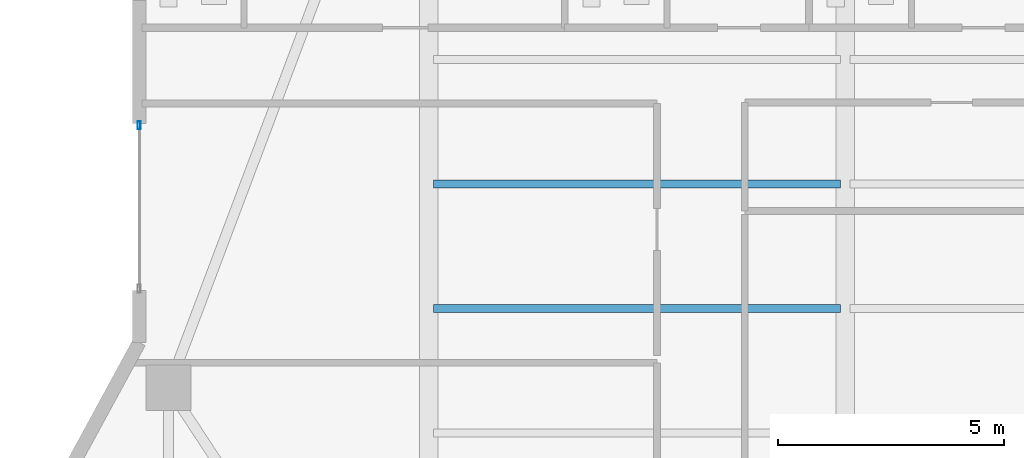
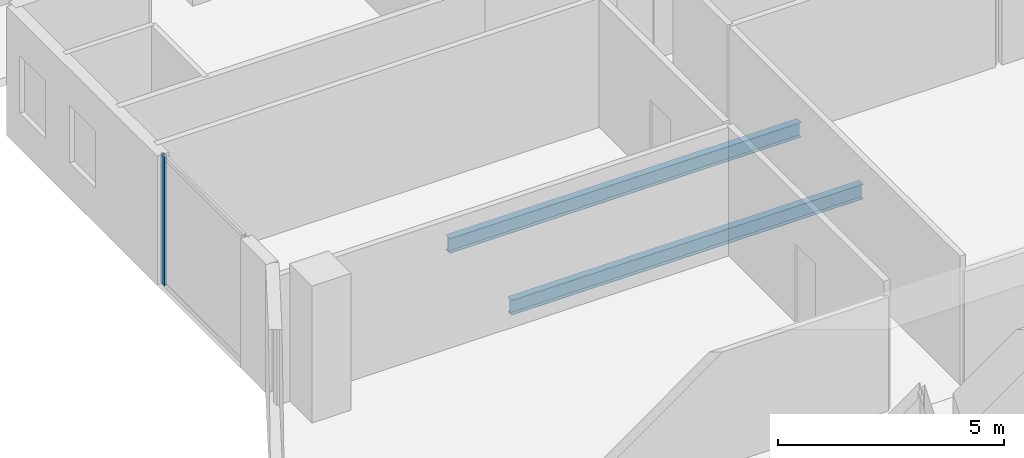
# One storey, part 8 of 23: 2 beams, 1 member, 1 element without a shape of its own.
"""IFC4 building model written with IfcOpenShell, lengths in metres."""

from ifc_helpers import new_model, si_unit, direction, frame, origin, origin_2d, place, context, subcontext, project, spatial, hollow_rectangle, i_section, extrude, material, layer, layer_set, material_profile, profile_set, type_object, element, aggregate, save


model = new_model("IFC4")

# Units and contexts
model_context = context("Model", 3, precision=1e-05, world=origin(), true_north=direction((0.0, 1.0)))
body_context = subcontext(model_context, "Body", "Model", "MODEL_VIEW")
ifc_project = project(units=[si_unit("LENGTHUNIT", "METRE"), si_unit("AREAUNIT", "SQUARE_METRE"), si_unit("VOLUMEUNIT", "CUBIC_METRE"), si_unit("PLANEANGLEUNIT", "RADIAN"), si_unit("MASSUNIT", "GRAM", prefix="KILO")], contexts=[model_context])

# Site, building, storey
site_placement = place(None, origin())
site = spatial("IfcSite", under=ifc_project, at=site_placement, CompositionType="ELEMENT")
building_placement = place(site_placement, origin())
building = spatial("IfcBuilding", under=site, at=building_placement, Name="Zuhayl Quay Hotel", CompositionType="ELEMENT")
storey_placement = place(building_placement, frame((0.0, 0.0, 272.949951171875)))
storey = spatial("IfcBuildingStorey", under=building, at=storey_placement, Name="L69", CompositionType="ELEMENT", Elevation=272.949951171875)

# Beams
ifc_material_1 = material(Name="Steel ASTM A992 Grade 50", Category="steel")
ifc_material_profile_1 = material_profile(ifc_material_1, i_section(OverallWidth=0.177978515625, OverallDepth=0.404052734375, WebThickness=0.007568359375, FlangeThickness=0.010986328125, at=origin_2d()), Name="W16X36")
ifc_profile_set_1 = profile_set([ifc_material_profile_1], Name="Steel ASTM A992 Grade 50")
beam_type = type_object("IfcBeamType", Name="BM_J3_W16X36", PredefinedType="JOIST", material=ifc_profile_set_1)
for number, where, z_axis, x_axis, name in (
    (1, (-13.694091796875, 24.85009765625, -0.421875), (1.0, 0.0, 0.0), (0.0, 1.0, 0.0), "L69 Floor Beam FJ_L69_4_1"),
    (2, (-13.694091796875, 27.60009765625, -0.421875), (1.0, 0.0, 0.0), (0.0, 1.0, 0.0), "L69 Floor Beam FJ_L69_5_1"),
):
    element("IfcBeam", number, at=place(storey_placement, frame(where, z_axis=z_axis, x_axis=x_axis)), inside=storey, type_object=beam_type, Name=name, PredefinedType="JOIST", context=body_context, shape_type="SweptSolid", body=[
        extrude(i_section(OverallWidth=0.177978515625, OverallDepth=0.404052734375, WebThickness=0.007568359375, FlangeThickness=0.010986328125, at=origin_2d()), origin(), (0.0, 0.0, 1.0), 8.988037109375),
    ])

# Curtain wall, member
ifc_material_2 = material(Name="Anodised Aluminium 6063-T6", Category="aluminium")
ifc_layer = layer(ifc_material_2, 0.169921875, Name="Anodised Aluminium 6063-T6", Category="aluminium")
ifc_layer_set = layer_set([ifc_layer], Name="Anodised Aluminium 6063-T6")
curtain_wall_type = type_object("IfcCurtainWallType", Name="CW_SYS_Z4", PredefinedType="USERDEFINED", material=ifc_layer_set)
curtain_wall_placement = place(storey_placement, origin())
curtain_wall = element("IfcCurtainWall", 3, at=curtain_wall_placement, inside=storey, type_object=curtain_wall_type, Name="L69 Curtain Wall ENV_L69_E05_CW1", ObjectType="UNITISED CURTAIN WALL", PredefinedType="USERDEFINED")
ifc_material_3 = material(Name="Black-anodised aluminium 6063-T6", Category="aluminium")
ifc_material_profile_2 = material_profile(ifc_material_3, hollow_rectangle(XDim=0.06494140625, YDim=0.179931640625, WallThickness=0.00341796875, at=origin_2d()), Name="ALU180X65")
ifc_profile_set_2 = profile_set([ifc_material_profile_2], Name="Black-anodised aluminium 6063-T6")
member_type = type_object("IfcMemberType", Name="MB_CW_MUL_180", PredefinedType="MULLION", material=ifc_profile_set_2)
member_placement = place(storey_placement, frame((-20.199951171875, 28.8974609375, 0.0), z_axis=(0.0, 0.0, 1.0), x_axis=(-1.0, 0.0, 0.0)))
member = element("IfcMember", 4, at=member_placement, type_object=member_type, Name="CW-Z4 mullion 2", PredefinedType="MULLION", context=body_context, shape_type="SweptSolid", body=[
    extrude(hollow_rectangle(XDim=0.06494140625, YDim=0.179931640625, WallThickness=0.00341796875, at=origin_2d()), origin(), (0.0, 0.0, 1.0), 3.47998046875),
])
aggregate(curtain_wall, [member])

save(model, "model.ifc")
